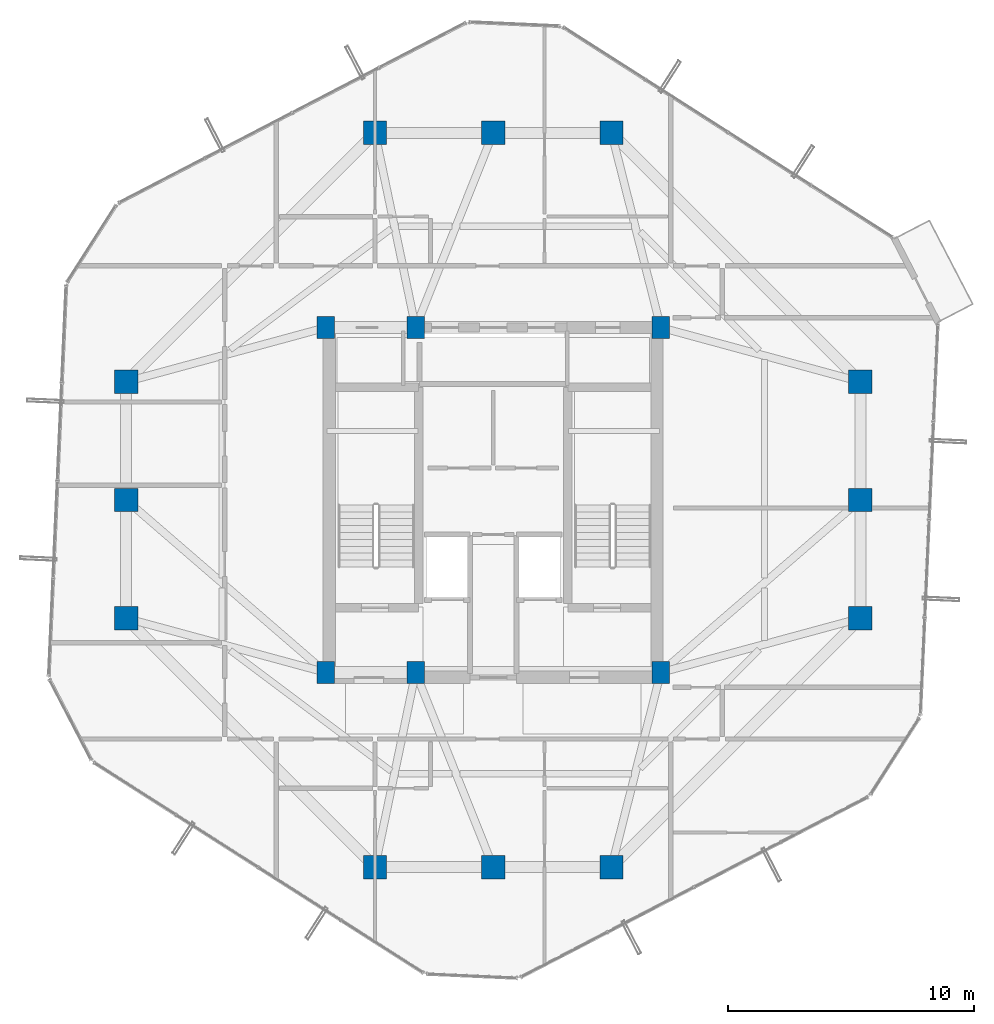
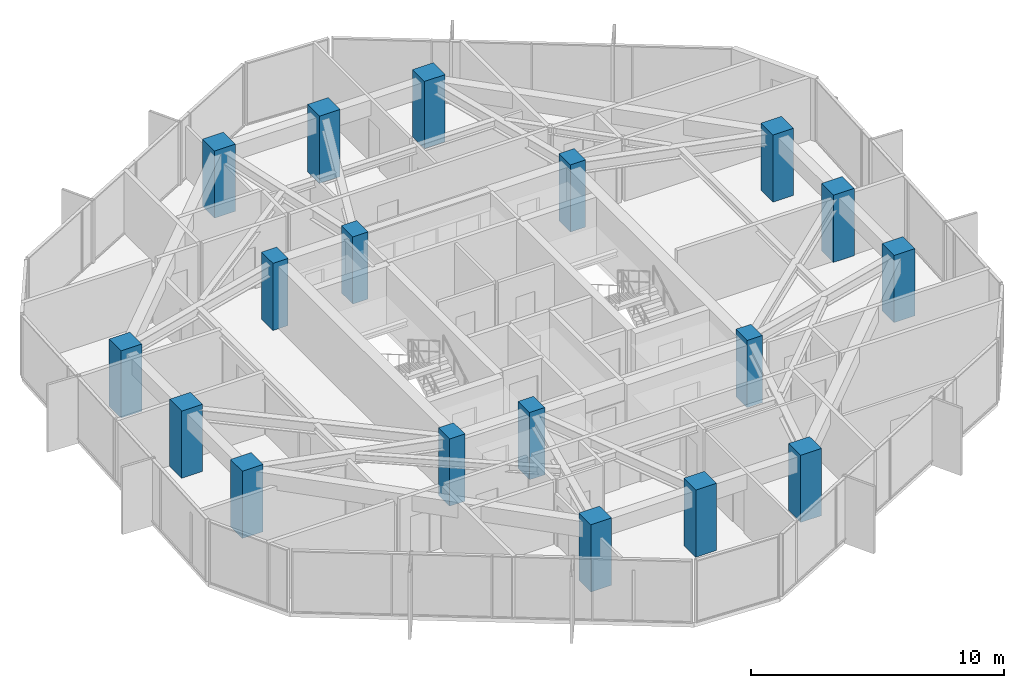
# One storey, part 1 of 29: 18 columns.
"""IFC4 building model written with IfcOpenShell, lengths in metres."""

from ifc_helpers import new_model, si_unit, direction, frame, origin, origin_2d, place, context, subcontext, project, spatial, rectangle, extrude, material, material_profile, profile_set, type_object, element, save


model = new_model("IFC4")

# Units and contexts
model_context = context("Model", 3, precision=1e-05, world=origin(), true_north=direction((0.0, 1.0)))
body_context = subcontext(model_context, "Body", "Model", "MODEL_VIEW")
ifc_project = project(units=[si_unit("LENGTHUNIT", "METRE"), si_unit("AREAUNIT", "SQUARE_METRE"), si_unit("VOLUMEUNIT", "CUBIC_METRE"), si_unit("PLANEANGLEUNIT", "RADIAN"), si_unit("MASSUNIT", "GRAM", prefix="KILO")], contexts=[model_context])

# Site, building, storey
site_placement = place(None, origin())
site = spatial("IfcSite", under=ifc_project, at=site_placement, CompositionType="ELEMENT")
building_placement = place(site_placement, origin())
building = spatial("IfcBuilding", under=site, at=building_placement, Name="Veraguas Prism Commons", CompositionType="ELEMENT")
storey_placement = place(building_placement, frame((0.0, 0.0, 215.64990234375)))
storey = spatial("IfcBuildingStorey", under=building, at=storey_placement, Name="L61", CompositionType="ELEMENT", Elevation=215.64990234375)

# Columns
ifc_material = material(Name="Concrete C50/60", Category="concrete")
ifc_material_profile_1 = material_profile(ifc_material, rectangle(XDim=0.949951171875, YDim=0.949951171875, at=origin_2d()), Name="RC950X950")
ifc_profile_set_1 = profile_set([ifc_material_profile_1], Name="Concrete C50/60")
column_type_1 = type_object("IfcColumnType", Name="Column Tube Z3 RC 950x950", PredefinedType="COLUMN", material=ifc_profile_set_1)
for number, where, z_axis, x_axis, name in (
    (1, (38.89990234375, 19.199951171875, 0.0), (0.0, 0.0, 1.0), (1.0, 0.0, 0.0), "Tower Perimeter Column L61-TB01"),
    (2, (38.89990234375, 24.0, 0.0), (0.0, 0.0, 1.0), (1.0, 0.0, 0.0), "Tower Perimeter Column L61-TB02"),
    (3, (38.89990234375, 28.800048828125, 0.0), (0.0, 0.0, 1.0), (1.0, 0.0, 0.0), "Tower Perimeter Column L61-TB03"),
    (4, (28.800048828125, 38.89990234375, 0.0), (0.0, 0.0, 1.0), (1.0, 0.0, 0.0), "Tower Perimeter Column L61-TB04"),
    (5, (24.0, 38.89990234375, 0.0), (0.0, 0.0, 1.0), (1.0, 0.0, 0.0), "Tower Perimeter Column L61-TB05"),
    (6, (19.199951171875, 38.89990234375, 0.0), (0.0, 0.0, 1.0), (1.0, 0.0, 0.0), "Tower Perimeter Column L61-TB06"),
    (7, (9.10009765625, 28.800048828125, 0.0), (0.0, 0.0, 1.0), (1.0, 0.0, 0.0), "Tower Perimeter Column L61-TB07"),
    (8, (9.10009765625, 24.0, 0.0), (0.0, 0.0, 1.0), (1.0, 0.0, 0.0), "Tower Perimeter Column L61-TB08"),
    (9, (9.10009765625, 19.199951171875, 0.0), (0.0, 0.0, 1.0), (1.0, 0.0, 0.0), "Tower Perimeter Column L61-TB09"),
    (10, (19.199951171875, 9.10009765625, 0.0), (0.0, 0.0, 1.0), (1.0, 0.0, 0.0), "Tower Perimeter Column L61-TB10"),
    (11, (24.0, 9.10009765625, 0.0), (0.0, 0.0, 1.0), (1.0, 0.0, 0.0), "Tower Perimeter Column L61-TB11"),
    (12, (28.800048828125, 9.10009765625, 0.0), (0.0, 0.0, 1.0), (1.0, 0.0, 0.0), "Tower Perimeter Column L61-TB12"),
):
    element("IfcColumn", number, at=place(storey_placement, frame(where, z_axis=z_axis, x_axis=x_axis)), inside=storey, type_object=column_type_1, Name=name, PredefinedType="COLUMN", context=body_context, shape_type="SweptSolid", body=[
        extrude(rectangle(XDim=0.949951171875, YDim=0.949951171875, at=origin_2d()), origin(), (0.0, 0.0, 1.0), 3.25),
    ])
ifc_material_profile_2 = material_profile(ifc_material, rectangle(XDim=0.699951171875, YDim=0.89990234375, at=origin_2d()), Name="RC700X900")
ifc_profile_set_2 = profile_set([ifc_material_profile_2], Name="Concrete C50/60")
column_type_2 = type_object("IfcColumnType", Name="Pilaster Core Upper RC 700x900", PredefinedType="PILASTER", material=ifc_profile_set_2)
for number, where, z_axis, x_axis, name in (
    (13, (17.199951171875, 17.0, 0.0), (0.0, 0.0, 1.0), (1.0, 0.0, 0.0), "Core Pilaster Column L61-CR1"),
    (14, (20.85009765625, 17.0, 0.0), (0.0, 0.0, 1.0), (1.0, 0.0, 0.0), "Core Pilaster Column L61-CR2"),
    (15, (30.800048828125, 17.0, 0.0), (0.0, 0.0, 1.0), (1.0, 0.0, 0.0), "Core Pilaster Column L61-CR3"),
    (16, (17.199951171875, 31.0, 0.0), (0.0, 0.0, 1.0), (1.0, 0.0, 0.0), "Core Pilaster Column L61-CR4"),
    (17, (20.85009765625, 31.0, 0.0), (0.0, 0.0, 1.0), (1.0, 0.0, 0.0), "Core Pilaster Column L61-CR5"),
    (18, (30.800048828125, 31.0, 0.0), (0.0, 0.0, 1.0), (1.0, 0.0, 0.0), "Core Pilaster Column L61-CR6"),
):
    element("IfcColumn", number, at=place(storey_placement, frame(where, z_axis=z_axis, x_axis=x_axis)), inside=storey, type_object=column_type_2, Name=name, PredefinedType="PILASTER", context=body_context, shape_type="SweptSolid", body=[
        extrude(rectangle(XDim=0.699951171875, YDim=0.89990234375, at=origin_2d()), origin(), (0.0, 0.0, 1.0), 3.25),
    ])

save(model, "model.ifc")
